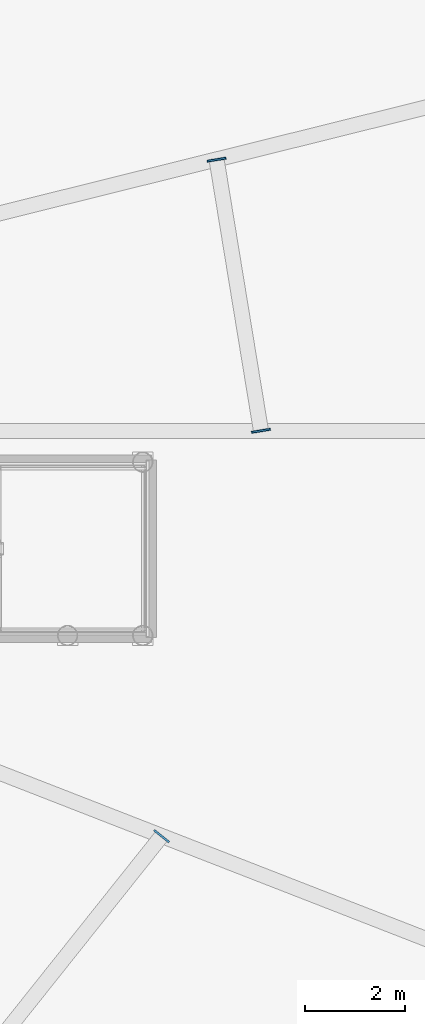
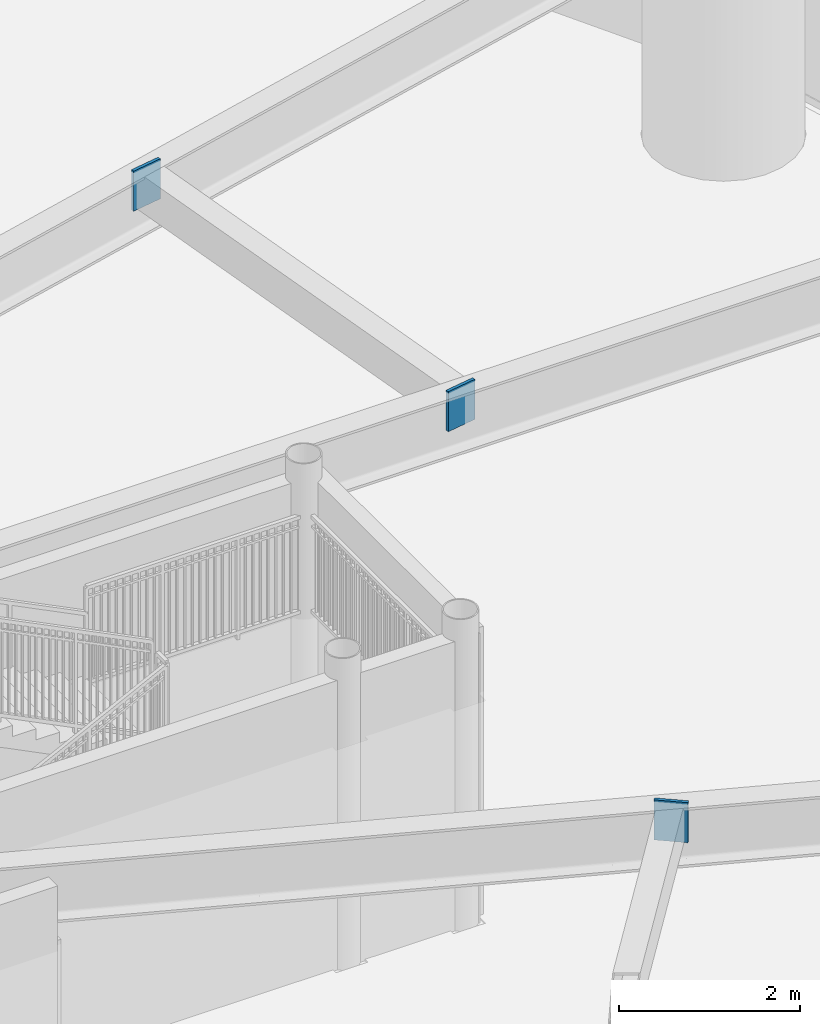
# One storey, part 14 of 31: 3 plates.
"""IFC4 building model written with IfcOpenShell, lengths in metres."""

from ifc_helpers import new_model, si_unit, direction, frame, origin, origin_2d, place, context, subcontext, project, spatial, rectangle, extrude, source, transform, mapped, material, layer, layer_set, type_object, element, save


model = new_model("IFC4")

# Units and contexts
model_context = context("Model", 3, precision=1e-05, world=origin(), true_north=direction((0.0, 1.0)))
body_context = subcontext(model_context, "Body", "Model", "MODEL_VIEW")
ifc_project = project(units=[si_unit("LENGTHUNIT", "METRE"), si_unit("AREAUNIT", "SQUARE_METRE"), si_unit("VOLUMEUNIT", "CUBIC_METRE"), si_unit("PLANEANGLEUNIT", "RADIAN"), si_unit("MASSUNIT", "GRAM", prefix="KILO")], contexts=[model_context])

# Site, building, storey
site_placement = place(None, origin())
site = spatial("IfcSite", under=ifc_project, at=site_placement, CompositionType="ELEMENT")
building_placement = place(site_placement, origin())
building = spatial("IfcBuilding", under=site, at=building_placement, Name="Linh Dai School and Residence Tower", CompositionType="ELEMENT")
storey_placement = place(building_placement, frame((0.0, 0.0, 6.0)))
storey = spatial("IfcBuildingStorey", under=building, at=storey_placement, Name="L01", CompositionType="ELEMENT", Elevation=6.0)

# Plates
ifc_material = material(Name="Structural Steel S355JR", Category="steel")
ifc_layer = layer(ifc_material, 0.0400390625)
ifc_layer_set = layer_set([ifc_layer], Name="Structural Steel S355JR")
plate_type = type_object("IfcPlateType", Name="PLT-GP1", PredefinedType="USERDEFINED", material=ifc_layer_set)
shared_shape = source(origin(), body_context, "Body", "SweptSolid", [
    extrude(rectangle(XDim=0.0400390625, YDim=0.3798828125, at=origin_2d()), origin(), (0.0, 0.0, 1.0), 0.5400390625),
])
for number, where, z_axis, x_axis, name in (
    (1, (58.709228515625, 27.0048828125, 3.3798828125), (0.0, 0.0, 1.0), (-0.161521734074, 0.986869155168, 0.0), "L01 Secondary Beam End Plate 01A"),
    (2, (57.82373046875, 32.4150390625, 3.3798828125), (0.0, 0.0, 1.0), (-0.161521734074, 0.986869155168, 0.0), "L01 Secondary Beam End Plate 01B"),
    (3, (56.725341796875, 18.916259765625, 3.3798828125), (0.0, 0.0, 1.0), (0.622932610294, 0.78227550328, 0.0), "L01 Secondary Beam End Plate 08B"),
):
    element("IfcPlate", number, at=place(storey_placement, frame(where, z_axis=z_axis, x_axis=x_axis)), inside=storey, type_object=plate_type, Name=name, ObjectType="GUSSET PLATE", PredefinedType="USERDEFINED", context=body_context, shape_type="MappedRepresentation", body=[
        mapped(shared_shape, transform((0.0, 0.0, 0.0), x_axis=(1.0, 0.0, 0.0), y_axis=(0.0, 1.0, 0.0), z_axis=(0.0, 0.0, 1.0), scale=1.0)),
    ])

save(model, "model.ifc")
